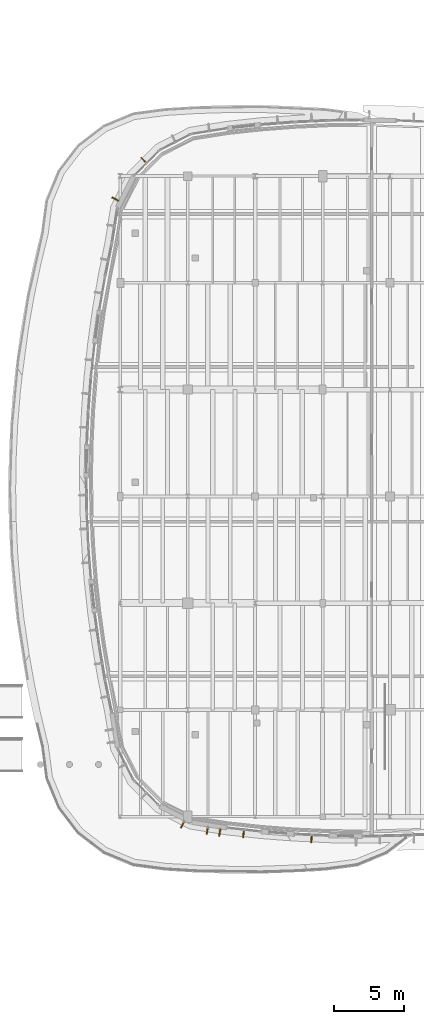
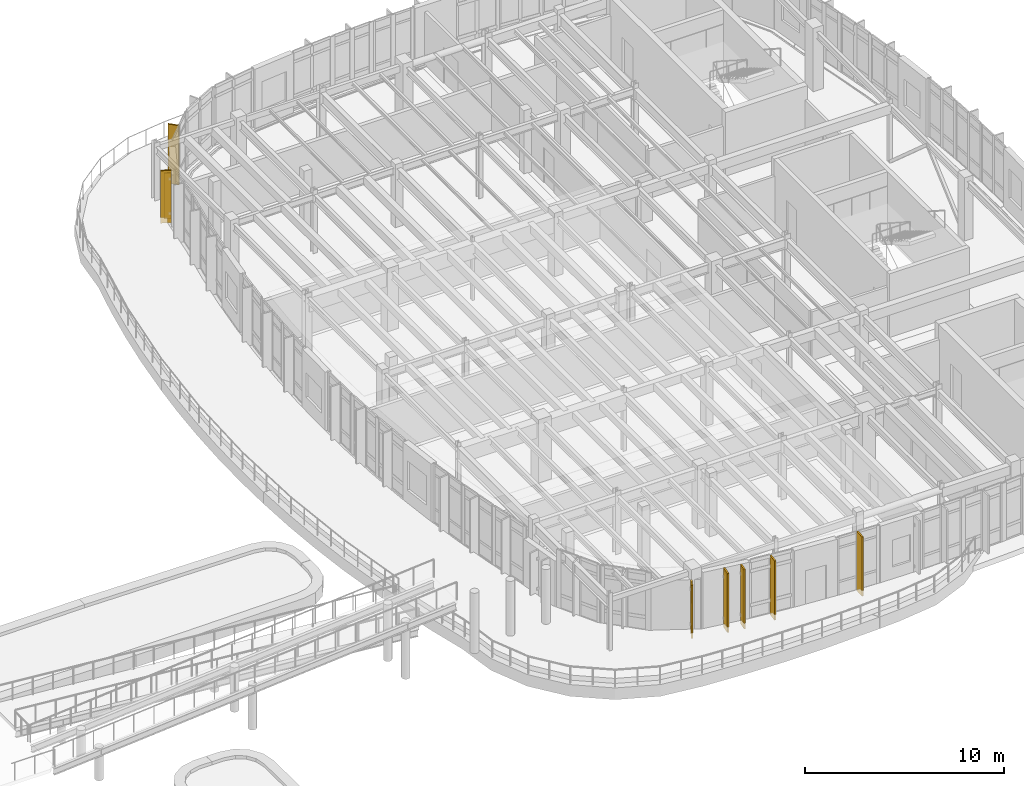
# One storey, part 107 of 111: 7 coverings, 4 shading devices.
"""IFC4 building model written with IfcOpenShell, lengths in metres."""

from ifc_helpers import new_model, si_unit, direction, frame, origin, origin_2d, place, context, subcontext, project, spatial, polyline, rectangle, outline, extrude, material, layer, layer_set, type_object, element, save


model = new_model("IFC4")

# Units and contexts
model_context = context("Model", 3, precision=1e-05, world=origin(), true_north=direction((0.0, 1.0)))
body_context = subcontext(model_context, "Body", "Model", "MODEL_VIEW")
ifc_project = project(units=[si_unit("LENGTHUNIT", "METRE"), si_unit("AREAUNIT", "SQUARE_METRE"), si_unit("VOLUMEUNIT", "CUBIC_METRE"), si_unit("PLANEANGLEUNIT", "RADIAN"), si_unit("MASSUNIT", "GRAM", prefix="KILO")], contexts=[model_context])

# Site, building, storey
site_placement = place(None, origin())
site = spatial("IfcSite", under=ifc_project, at=site_placement, CompositionType="ELEMENT")
building_placement = place(site_placement, origin())
building = spatial("IfcBuilding", under=site, at=building_placement, Name="Corveleigh Park Community Centre", CompositionType="ELEMENT")
storey_placement = place(building_placement, frame((0.0, 0.0, 4.800048828125)))
storey = spatial("IfcBuildingStorey", under=building, at=storey_placement, Name="L01", CompositionType="ELEMENT", Elevation=4.800048828125)

# Coverings
ifc_material_1 = material(Name="Warm buff ribbed architectural cladding", Category="masonry")
ifc_layer = layer(ifc_material_1, 0.0849609375, Name="Warm buff ribbed architectural cladding", Category="masonry")
ifc_layer_set = layer_set([ifc_layer], Name="Warm buff ribbed architectural cladding")
covering_type = type_object("IfcCoveringType", Name="COV-CLD-BUF", PredefinedType="CLADDING", material=ifc_layer_set)
covering_1_placement = place(storey_placement, origin())
element("IfcCovering", 1, at=covering_1_placement, inside=storey, type_object=covering_type, Name="V4 L01 Brise-soleil blade 242", PredefinedType="CLADDING", context=body_context, shape_type="SweptSolid", body=[
    extrude(outline(polyline([(143.447021484375, 57.68505859375), (143.363037109375, 57.694091796875), (143.300048828125, 57.116943359375), (143.385009765625, 57.10791015625), (143.447021484375, 57.68505859375)])), origin(), (0.0, 0.0, 1.0), 3.636962890625),
])
covering_2_placement = place(storey_placement, origin())
element("IfcCovering", 2, at=covering_2_placement, inside=storey, type_object=covering_type, Name="V4 L01 Brise-soleil blade 243", PredefinedType="CLADDING", context=body_context, shape_type="SweptSolid", body=[
    extrude(outline(polyline([(148.26708984375, 57.31494140625), (148.181884765625, 57.319091796875), (148.155029296875, 56.739990234375), (148.239990234375, 56.736083984375), (148.26708984375, 57.31494140625)])), origin(), (0.0, 0.0, 1.0), 3.636962890625),
])
covering_3_placement = place(storey_placement, origin())
element("IfcCovering", 3, at=covering_3_placement, inside=storey, type_object=covering_type, Name="V4 L01 Brise-soleil blade 277", PredefinedType="CLADDING", context=body_context, shape_type="SweptSolid", body=[
    extrude(outline(polyline([(136.45703125, 105.0830078125), (136.51708984375, 105.14306640625), (136.10693359375, 105.552978515625), (136.047119140625, 105.492919921875), (136.45703125, 105.0830078125)])), origin(), (0.0, 0.0, 1.0), 3.636962890625),
])
covering_4_placement = place(storey_placement, origin())
element("IfcCovering", 4, at=covering_4_placement, inside=storey, type_object=covering_type, Name="V4 L01 Brise-soleil blade 278", PredefinedType="CLADDING", context=body_context, shape_type="SweptSolid", body=[
    extrude(outline(polyline([(134.465087890625, 102.40087890625), (134.50390625, 102.47705078125), (134.027099609375, 102.719970703125), (133.988037109375, 102.64404296875), (134.465087890625, 102.40087890625)])), origin(), (0.0, 0.0, 1.0), 3.216064453125),
])
covering_5_placement = place(storey_placement, origin())
element("IfcCovering", 5, at=covering_5_placement, inside=storey, type_object=covering_type, Name="V4 L01 Brise-soleil blade 295", PredefinedType="CLADDING", context=body_context, shape_type="SweptSolid", body=[
    extrude(outline(polyline([(139.198974609375, 58.264892578125), (139.123046875, 58.303955078125), (138.8798828125, 57.826904296875), (138.9560546875, 57.7880859375), (139.198974609375, 58.264892578125)])), origin(), (0.0, 0.0, 1.0), 3.2490234375),
])
covering_6_placement = place(storey_placement, origin())
element("IfcCovering", 6, at=covering_6_placement, inside=storey, type_object=covering_type, Name="V4 L01 Brise-soleil blade 296", PredefinedType="CLADDING", context=body_context, shape_type="SweptSolid", body=[
    extrude(outline(polyline([(141.764892578125, 57.73193359375), (141.680908203125, 57.74609375), (141.597900390625, 57.217041015625), (141.681884765625, 57.2041015625), (141.764892578125, 57.73193359375)])), origin(), (0.0, 0.0, 1.0), 3.636962890625),
])
covering_7_placement = place(storey_placement, origin())
element("IfcCovering", 7, at=covering_7_placement, inside=storey, type_object=covering_type, Name="V4 L01 Brise-soleil blade 297", PredefinedType="CLADDING", context=body_context, shape_type="SweptSolid", body=[
    extrude(outline(polyline([(140.876953125, 57.873046875), (140.79296875, 57.885986328125), (140.708984375, 57.35791015625), (140.79296875, 57.343994140625), (140.876953125, 57.873046875)])), origin(), (0.0, 0.0, 1.0), 3.636962890625),
])

# Shading devices
ifc_material_2 = material(Name="Terracotta-anodised aluminium fin", Category="masonry")
shading_device_type_1 = type_object("IfcShadingDeviceType", Name="SHD-FIN-TER-350", PredefinedType="USERDEFINED", material=ifc_material_2)
shading_device_1_placement = place(storey_placement, frame((134.31494140625, 102.52587890625, 0.25), z_axis=(0.0, 0.0, 1.0), x_axis=(-0.89086471553, 0.454268707511, 0.0)))
element("IfcShadingDevice", 8, at=shading_device_1_placement, inside=storey, type_object=shading_device_type_1, Name="Terracotta brise-soleil fin 53", ObjectType="FIN", PredefinedType="USERDEFINED", context=body_context, shape_type="SweptSolid", body=[
    extrude(rectangle(XDim=0.35009765625, YDim=0.06005859375, at=origin_2d()), origin(), (0.0, 0.0, 1.0), 2.81591796875),
])
shading_device_2_placement = place(storey_placement, frame((141.694091796875, 57.551025390625, 0.25), z_axis=(0.0, 0.0, 1.0), x_axis=(-0.156207498942, -0.987724261762, 0.0)))
element("IfcShadingDevice", 9, at=shading_device_2_placement, inside=storey, type_object=shading_device_type_1, Name="Terracotta brise-soleil fin 57", ObjectType="FIN", PredefinedType="USERDEFINED", context=body_context, shape_type="SweptSolid", body=[
    extrude(rectangle(XDim=0.35009765625, YDim=0.06005859375, at=origin_2d()), origin(), (0.0, 0.0, 1.0), 3.237060546875),
])
shading_device_type_2 = type_object("IfcShadingDeviceType", Name="SHD-FIN-TER-450", PredefinedType="USERDEFINED", material=ifc_material_2)
shading_device_3_placement = place(storey_placement, frame((139.073974609375, 58.114990234375, 0.25), z_axis=(0.0, 0.0, 1.0), x_axis=(-0.454268707511, -0.89086471553, 0.0)))
element("IfcShadingDevice", 10, at=shading_device_3_placement, inside=storey, type_object=shading_device_type_2, Name="Terracotta brise-soleil fin 56", ObjectType="FIN", PredefinedType="USERDEFINED", context=body_context, shape_type="SweptSolid", body=[
    extrude(rectangle(XDim=0.449951171875, YDim=0.06494140625, at=origin_2d()), origin(), (0.0, 0.0, 1.0), 2.84912109375),
])
shading_device_4_placement = place(storey_placement, frame((140.804931640625, 57.69189453125, 0.25), z_axis=(0.0, 0.0, 1.0), x_axis=(-0.156207498942, -0.987724261762, 0.0)))
element("IfcShadingDevice", 11, at=shading_device_4_placement, inside=storey, type_object=shading_device_type_2, Name="Terracotta brise-soleil fin 58", ObjectType="FIN", PredefinedType="USERDEFINED", context=body_context, shape_type="SweptSolid", body=[
    extrude(rectangle(XDim=0.449951171875, YDim=0.06494140625, at=origin_2d()), origin(), (0.0, 0.0, 1.0), 3.237060546875),
])

save(model, "model.ifc")
